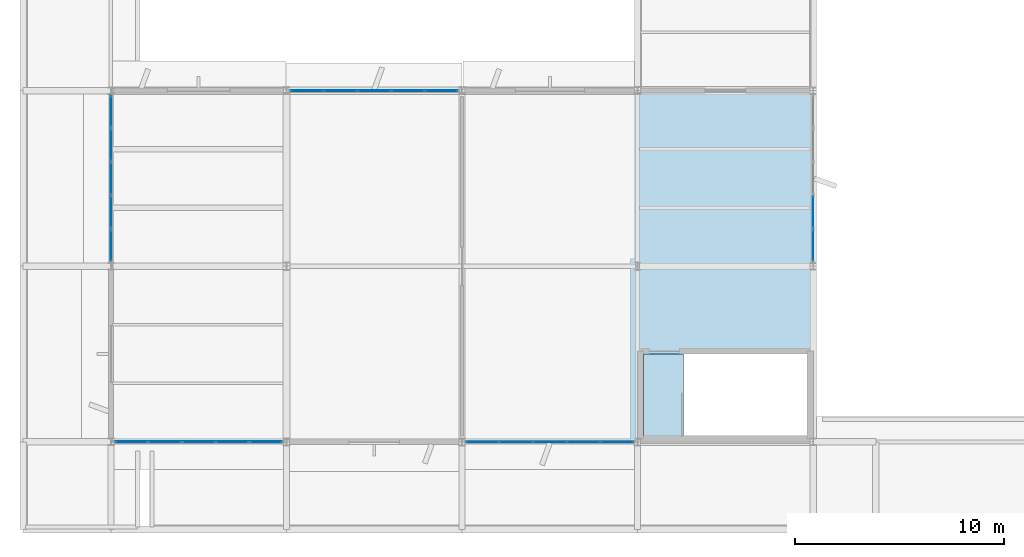
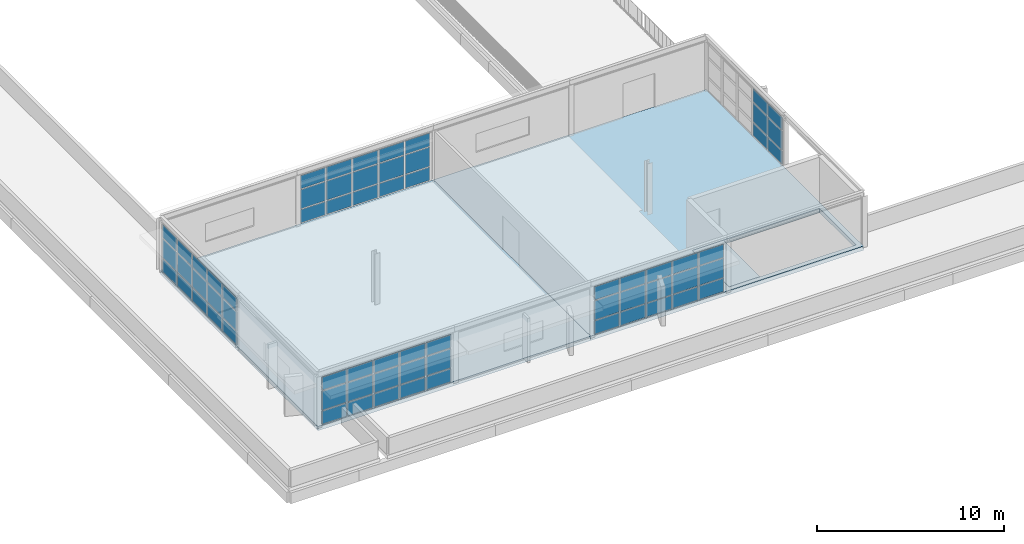
# One storey, part 43 of 92: 66 plates, 3 slabs, 5 elements without a shape of their own.
"""IFC4 building model written with IfcOpenShell, lengths in metres."""

from ifc_helpers import new_model, si_unit, direction, frame, origin, origin_2d, place, context, subcontext, project, spatial, polyline, rectangle, outline, extrude, material, layer, layer_set, type_object, element, aggregate, save


model = new_model("IFC4")

# Units and contexts
model_context = context("Model", 3, precision=1e-05, world=origin(), true_north=direction((0.0, 1.0)))
body_context = subcontext(model_context, "Body", "Model", "MODEL_VIEW")
ifc_project = project(units=[si_unit("LENGTHUNIT", "METRE"), si_unit("AREAUNIT", "SQUARE_METRE"), si_unit("VOLUMEUNIT", "CUBIC_METRE"), si_unit("PLANEANGLEUNIT", "RADIAN"), si_unit("MASSUNIT", "GRAM", prefix="KILO")], contexts=[model_context])

# Site, building, storey
site_placement = place(None, origin())
site = spatial("IfcSite", under=ifc_project, at=site_placement, CompositionType="ELEMENT")
building_placement = place(site_placement, origin())
building = spatial("IfcBuilding", under=site, at=building_placement, Name="Vanh Quang Courtyard School", CompositionType="ELEMENT")
storey_placement = place(building_placement, frame((0.0, 0.0, 7.800048828125)))
storey = spatial("IfcBuildingStorey", under=building, at=storey_placement, Name="L02", CompositionType="ELEMENT", Elevation=7.800048828125)

# Curtain wall, plates
ifc_material_1 = material(Name="Thermally broken aluminium unitised curtain wall", Category="aluminium")
curtain_wall_type = type_object("IfcCurtainWallType", Name="CW-SYS-46", PredefinedType="NOTDEFINED", material=ifc_material_1)
curtain_wall_1_placement = place(storey_placement, origin())
curtain_wall_1 = element("IfcCurtainWall", 1, at=curtain_wall_1_placement, inside=storey, type_object=curtain_wall_type, Name="Curtain Wall CW-46 (L02)", PredefinedType="NOTDEFINED")
ifc_material_2 = material(Name="Low-E laminated double glazing", Category="glass")
ifc_layer_1 = layer(ifc_material_2, 0.028076171875)
ifc_layer_set_1 = layer_set([ifc_layer_1], Name="Low-E laminated double glazing")
plate_type_1 = type_object("IfcPlateType", Name="CW-PNL-28", PredefinedType="CURTAIN_PANEL", material=ifc_layer_set_1)
plate_1_placement = place(storey_placement, frame((28.418701171875, 4.199951171875, 0.06005859375), z_axis=(0.0, 0.0, 1.0), x_axis=(-1.0, 0.0, 0.0)))
plate_1 = element("IfcPlate", 2, at=plate_1_placement, type_object=plate_type_1, Name="CW-46 panel 1.1", PredefinedType="CURTAIN_PANEL", context=body_context, shape_type="SweptSolid", body=[
    extrude(rectangle(XDim=1.52685546875, YDim=0.028076171875, at=origin_2d()), origin(), (0.0, 0.0, 1.0), 0.860107421875),
])
plate_2_placement = place(storey_placement, frame((28.418701171875, 4.199951171875, 0.97998046875), z_axis=(0.0, 0.0, 1.0), x_axis=(-1.0, 0.0, 0.0)))
plate_2 = element("IfcPlate", 3, at=plate_2_placement, type_object=plate_type_1, Name="CW-46 panel 1.2", PredefinedType="CURTAIN_PANEL", context=body_context, shape_type="SweptSolid", body=[
    extrude(rectangle(XDim=1.52685546875, YDim=0.028076171875, at=origin_2d()), origin(), (0.0, 0.0, 1.0), 1.239990234375),
])
plate_3_placement = place(storey_placement, frame((28.418701171875, 4.199951171875, 2.27978515625), z_axis=(0.0, 0.0, 1.0), x_axis=(-1.0, 0.0, 0.0)))
plate_3 = element("IfcPlate", 4, at=plate_3_placement, type_object=plate_type_1, Name="CW-46 panel 1.3", PredefinedType="CURTAIN_PANEL", context=body_context, shape_type="SweptSolid", body=[
    extrude(rectangle(XDim=1.52685546875, YDim=0.028076171875, at=origin_2d()), origin(), (0.0, 0.0, 1.0), 0.860107421875),
])
plate_4_placement = place(storey_placement, frame((26.81689453125, 4.199951171875, 0.06005859375), z_axis=(0.0, 0.0, 1.0), x_axis=(-1.0, 0.0, 0.0)))
plate_4 = element("IfcPlate", 5, at=plate_4_placement, type_object=plate_type_1, Name="CW-46 panel 2.1", PredefinedType="CURTAIN_PANEL", context=body_context, shape_type="SweptSolid", body=[
    extrude(rectangle(XDim=1.556884765625, YDim=0.028076171875, at=origin_2d()), origin(), (0.0, 0.0, 1.0), 0.860107421875),
])
plate_5_placement = place(storey_placement, frame((26.81689453125, 4.199951171875, 0.97998046875), z_axis=(0.0, 0.0, 1.0), x_axis=(-1.0, 0.0, 0.0)))
plate_5 = element("IfcPlate", 6, at=plate_5_placement, type_object=plate_type_1, Name="CW-46 panel 2.2", PredefinedType="CURTAIN_PANEL", context=body_context, shape_type="SweptSolid", body=[
    extrude(rectangle(XDim=1.556884765625, YDim=0.028076171875, at=origin_2d()), origin(), (0.0, 0.0, 1.0), 1.239990234375),
])
plate_6_placement = place(storey_placement, frame((26.81689453125, 4.199951171875, 2.27978515625), z_axis=(0.0, 0.0, 1.0), x_axis=(-1.0, 0.0, 0.0)))
plate_6 = element("IfcPlate", 7, at=plate_6_placement, type_object=plate_type_1, Name="CW-46 panel 2.3", PredefinedType="CURTAIN_PANEL", context=body_context, shape_type="SweptSolid", body=[
    extrude(rectangle(XDim=1.556884765625, YDim=0.028076171875, at=origin_2d()), origin(), (0.0, 0.0, 1.0), 0.860107421875),
])
plate_7_placement = place(storey_placement, frame((25.199951171875, 4.199951171875, 0.06005859375), z_axis=(0.0, 0.0, 1.0), x_axis=(-1.0, 0.0, 0.0)))
plate_7 = element("IfcPlate", 8, at=plate_7_placement, type_object=plate_type_1, Name="CW-46 panel 3.1", PredefinedType="CURTAIN_PANEL", context=body_context, shape_type="SweptSolid", body=[
    extrude(rectangle(XDim=1.556884765625, YDim=0.028076171875, at=origin_2d()), origin(), (0.0, 0.0, 1.0), 0.860107421875),
])
plate_8_placement = place(storey_placement, frame((25.199951171875, 4.199951171875, 0.97998046875), z_axis=(0.0, 0.0, 1.0), x_axis=(-1.0, 0.0, 0.0)))
plate_8 = element("IfcPlate", 9, at=plate_8_placement, type_object=plate_type_1, Name="CW-46 panel 3.2", PredefinedType="CURTAIN_PANEL", context=body_context, shape_type="SweptSolid", body=[
    extrude(rectangle(XDim=1.556884765625, YDim=0.028076171875, at=origin_2d()), origin(), (0.0, 0.0, 1.0), 1.239990234375),
])
plate_9_placement = place(storey_placement, frame((25.199951171875, 4.199951171875, 2.27978515625), z_axis=(0.0, 0.0, 1.0), x_axis=(-1.0, 0.0, 0.0)))
plate_9 = element("IfcPlate", 10, at=plate_9_placement, type_object=plate_type_1, Name="CW-46 panel 3.3", PredefinedType="CURTAIN_PANEL", context=body_context, shape_type="SweptSolid", body=[
    extrude(rectangle(XDim=1.556884765625, YDim=0.028076171875, at=origin_2d()), origin(), (0.0, 0.0, 1.0), 0.860107421875),
])
plate_10_placement = place(storey_placement, frame((23.583251953125, 4.199951171875, 0.06005859375), z_axis=(0.0, 0.0, 1.0), x_axis=(-1.0, 0.0, 0.0)))
plate_10 = element("IfcPlate", 11, at=plate_10_placement, type_object=plate_type_1, Name="CW-46 panel 4.1", PredefinedType="CURTAIN_PANEL", context=body_context, shape_type="SweptSolid", body=[
    extrude(rectangle(XDim=1.556884765625, YDim=0.028076171875, at=origin_2d()), origin(), (0.0, 0.0, 1.0), 0.860107421875),
])
plate_11_placement = place(storey_placement, frame((23.583251953125, 4.199951171875, 0.97998046875), z_axis=(0.0, 0.0, 1.0), x_axis=(-1.0, 0.0, 0.0)))
plate_11 = element("IfcPlate", 12, at=plate_11_placement, type_object=plate_type_1, Name="CW-46 panel 4.2", PredefinedType="CURTAIN_PANEL", context=body_context, shape_type="SweptSolid", body=[
    extrude(rectangle(XDim=1.556884765625, YDim=0.028076171875, at=origin_2d()), origin(), (0.0, 0.0, 1.0), 1.239990234375),
])
plate_12_placement = place(storey_placement, frame((23.583251953125, 4.199951171875, 2.27978515625), z_axis=(0.0, 0.0, 1.0), x_axis=(-1.0, 0.0, 0.0)))
plate_12 = element("IfcPlate", 13, at=plate_12_placement, type_object=plate_type_1, Name="CW-46 panel 4.3", PredefinedType="CURTAIN_PANEL", context=body_context, shape_type="SweptSolid", body=[
    extrude(rectangle(XDim=1.556884765625, YDim=0.028076171875, at=origin_2d()), origin(), (0.0, 0.0, 1.0), 0.860107421875),
])
plate_13_placement = place(storey_placement, frame((21.9814453125, 4.199951171875, 0.06005859375), z_axis=(0.0, 0.0, 1.0), x_axis=(-1.0, 0.0, 0.0)))
plate_13 = element("IfcPlate", 14, at=plate_13_placement, type_object=plate_type_1, Name="CW-46 panel 5.1", PredefinedType="CURTAIN_PANEL", context=body_context, shape_type="SweptSolid", body=[
    extrude(rectangle(XDim=1.52685546875, YDim=0.028076171875, at=origin_2d()), origin(), (0.0, 0.0, 1.0), 0.860107421875),
])
plate_14_placement = place(storey_placement, frame((21.9814453125, 4.199951171875, 0.97998046875), z_axis=(0.0, 0.0, 1.0), x_axis=(-1.0, 0.0, 0.0)))
plate_14 = element("IfcPlate", 15, at=plate_14_placement, type_object=plate_type_1, Name="CW-46 panel 5.2", PredefinedType="CURTAIN_PANEL", context=body_context, shape_type="SweptSolid", body=[
    extrude(rectangle(XDim=1.52685546875, YDim=0.028076171875, at=origin_2d()), origin(), (0.0, 0.0, 1.0), 1.239990234375),
])
plate_15_placement = place(storey_placement, frame((21.9814453125, 4.199951171875, 2.27978515625), z_axis=(0.0, 0.0, 1.0), x_axis=(-1.0, 0.0, 0.0)))
plate_15 = element("IfcPlate", 16, at=plate_15_placement, type_object=plate_type_1, Name="CW-46 panel 5.3", PredefinedType="CURTAIN_PANEL", context=body_context, shape_type="SweptSolid", body=[
    extrude(rectangle(XDim=1.52685546875, YDim=0.028076171875, at=origin_2d()), origin(), (0.0, 0.0, 1.0), 0.860107421875),
])
aggregate(curtain_wall_1, [plate_1, plate_2, plate_3, plate_4, plate_5, plate_6, plate_7, plate_8, plate_9, plate_10, plate_11, plate_12, plate_13, plate_14, plate_15])

curtain_wall_2_placement = place(storey_placement, origin())
curtain_wall_2 = element("IfcCurtainWall", 17, at=curtain_wall_2_placement, inside=storey, type_object=curtain_wall_type, Name="Curtain Wall CW-46 (L02)", PredefinedType="NOTDEFINED")
plate_16_placement = place(storey_placement, frame((4.199951171875, 13.598388671875, 0.079833984375), z_axis=(0.0, 0.0, 1.0), x_axis=(0.0, 1.0, 0.0)))
plate_16 = element("IfcPlate", 18, at=plate_16_placement, type_object=plate_type_1, Name="CW-46 panel 1.1", PredefinedType="CURTAIN_PANEL", context=body_context, shape_type="SweptSolid", body=[
    extrude(rectangle(XDim=1.49072265625, YDim=0.028076171875, at=origin_2d()), origin(), (0.0, 0.0, 1.0), 0.830078125),
])
plate_17_placement = place(storey_placement, frame((4.199951171875, 13.598388671875, 0.98974609375), z_axis=(0.0, 0.0, 1.0), x_axis=(0.0, 1.0, 0.0)))
plate_17 = element("IfcPlate", 19, at=plate_17_placement, type_object=plate_type_1, Name="CW-46 panel 1.2", PredefinedType="CURTAIN_PANEL", context=body_context, shape_type="SweptSolid", body=[
    extrude(rectangle(XDim=1.49072265625, YDim=0.028076171875, at=origin_2d()), origin(), (0.0, 0.0, 1.0), 1.219970703125),
])
plate_18_placement = place(storey_placement, frame((4.199951171875, 13.598388671875, 2.289794921875), z_axis=(0.0, 0.0, 1.0), x_axis=(0.0, 1.0, 0.0)))
plate_18 = element("IfcPlate", 20, at=plate_18_placement, type_object=plate_type_1, Name="CW-46 panel 1.3", PredefinedType="CURTAIN_PANEL", context=body_context, shape_type="SweptSolid", body=[
    extrude(rectangle(XDim=1.49072265625, YDim=0.028076171875, at=origin_2d()), origin(), (0.0, 0.0, 1.0), 0.830078125),
])
plate_19_placement = place(storey_placement, frame((4.199951171875, 15.189208984375, 0.079833984375), z_axis=(0.0, 0.0, 1.0), x_axis=(0.0, 1.0, 0.0)))
plate_19 = element("IfcPlate", 21, at=plate_19_placement, type_object=plate_type_1, Name="CW-46 panel 2.1", PredefinedType="CURTAIN_PANEL", context=body_context, shape_type="SweptSolid", body=[
    extrude(rectangle(XDim=1.53076171875, YDim=0.028076171875, at=origin_2d()), origin(), (0.0, 0.0, 1.0), 0.830078125),
])
plate_20_placement = place(storey_placement, frame((4.199951171875, 15.189208984375, 0.98974609375), z_axis=(0.0, 0.0, 1.0), x_axis=(0.0, 1.0, 0.0)))
plate_20 = element("IfcPlate", 22, at=plate_20_placement, type_object=plate_type_1, Name="CW-46 panel 2.2", PredefinedType="CURTAIN_PANEL", context=body_context, shape_type="SweptSolid", body=[
    extrude(rectangle(XDim=1.53076171875, YDim=0.028076171875, at=origin_2d()), origin(), (0.0, 0.0, 1.0), 1.219970703125),
])
plate_21_placement = place(storey_placement, frame((4.199951171875, 15.189208984375, 2.289794921875), z_axis=(0.0, 0.0, 1.0), x_axis=(0.0, 1.0, 0.0)))
plate_21 = element("IfcPlate", 23, at=plate_21_placement, type_object=plate_type_1, Name="CW-46 panel 2.3", PredefinedType="CURTAIN_PANEL", context=body_context, shape_type="SweptSolid", body=[
    extrude(rectangle(XDim=1.53076171875, YDim=0.028076171875, at=origin_2d()), origin(), (0.0, 0.0, 1.0), 0.830078125),
])
plate_22_placement = place(storey_placement, frame((4.199951171875, 16.800048828125, 0.079833984375), z_axis=(0.0, 0.0, 1.0), x_axis=(0.0, 1.0, 0.0)))
plate_22 = element("IfcPlate", 24, at=plate_22_placement, type_object=plate_type_1, Name="CW-46 panel 3.1", PredefinedType="CURTAIN_PANEL", context=body_context, shape_type="SweptSolid", body=[
    extrude(rectangle(XDim=1.53076171875, YDim=0.028076171875, at=origin_2d()), origin(), (0.0, 0.0, 1.0), 0.830078125),
])
plate_23_placement = place(storey_placement, frame((4.199951171875, 16.800048828125, 0.98974609375), z_axis=(0.0, 0.0, 1.0), x_axis=(0.0, 1.0, 0.0)))
plate_23 = element("IfcPlate", 25, at=plate_23_placement, type_object=plate_type_1, Name="CW-46 panel 3.2", PredefinedType="CURTAIN_PANEL", context=body_context, shape_type="SweptSolid", body=[
    extrude(rectangle(XDim=1.53076171875, YDim=0.028076171875, at=origin_2d()), origin(), (0.0, 0.0, 1.0), 1.219970703125),
])
plate_24_placement = place(storey_placement, frame((4.199951171875, 16.800048828125, 2.289794921875), z_axis=(0.0, 0.0, 1.0), x_axis=(0.0, 1.0, 0.0)))
plate_24 = element("IfcPlate", 26, at=plate_24_placement, type_object=plate_type_1, Name="CW-46 panel 3.3", PredefinedType="CURTAIN_PANEL", context=body_context, shape_type="SweptSolid", body=[
    extrude(rectangle(XDim=1.53076171875, YDim=0.028076171875, at=origin_2d()), origin(), (0.0, 0.0, 1.0), 0.830078125),
])
plate_25_placement = place(storey_placement, frame((4.199951171875, 18.410888671875, 0.079833984375), z_axis=(0.0, 0.0, 1.0), x_axis=(0.0, 1.0, 0.0)))
plate_25 = element("IfcPlate", 27, at=plate_25_placement, type_object=plate_type_1, Name="CW-46 panel 4.1", PredefinedType="CURTAIN_PANEL", context=body_context, shape_type="SweptSolid", body=[
    extrude(rectangle(XDim=1.53076171875, YDim=0.028076171875, at=origin_2d()), origin(), (0.0, 0.0, 1.0), 0.830078125),
])
plate_26_placement = place(storey_placement, frame((4.199951171875, 18.410888671875, 0.98974609375), z_axis=(0.0, 0.0, 1.0), x_axis=(0.0, 1.0, 0.0)))
plate_26 = element("IfcPlate", 28, at=plate_26_placement, type_object=plate_type_1, Name="CW-46 panel 4.2", PredefinedType="CURTAIN_PANEL", context=body_context, shape_type="SweptSolid", body=[
    extrude(rectangle(XDim=1.53076171875, YDim=0.028076171875, at=origin_2d()), origin(), (0.0, 0.0, 1.0), 1.219970703125),
])
plate_27_placement = place(storey_placement, frame((4.199951171875, 18.410888671875, 2.289794921875), z_axis=(0.0, 0.0, 1.0), x_axis=(0.0, 1.0, 0.0)))
plate_27 = element("IfcPlate", 29, at=plate_27_placement, type_object=plate_type_1, Name="CW-46 panel 4.3", PredefinedType="CURTAIN_PANEL", context=body_context, shape_type="SweptSolid", body=[
    extrude(rectangle(XDim=1.53076171875, YDim=0.028076171875, at=origin_2d()), origin(), (0.0, 0.0, 1.0), 0.830078125),
])
plate_28_placement = place(storey_placement, frame((4.199951171875, 20.001708984375, 0.079833984375), z_axis=(0.0, 0.0, 1.0), x_axis=(0.0, 1.0, 0.0)))
plate_28 = element("IfcPlate", 30, at=plate_28_placement, type_object=plate_type_1, Name="CW-46 panel 5.1", PredefinedType="CURTAIN_PANEL", context=body_context, shape_type="SweptSolid", body=[
    extrude(rectangle(XDim=1.49072265625, YDim=0.028076171875, at=origin_2d()), origin(), (0.0, 0.0, 1.0), 0.830078125),
])
plate_29_placement = place(storey_placement, frame((4.199951171875, 20.001708984375, 0.98974609375), z_axis=(0.0, 0.0, 1.0), x_axis=(0.0, 1.0, 0.0)))
plate_29 = element("IfcPlate", 31, at=plate_29_placement, type_object=plate_type_1, Name="CW-46 panel 5.2", PredefinedType="CURTAIN_PANEL", context=body_context, shape_type="SweptSolid", body=[
    extrude(rectangle(XDim=1.49072265625, YDim=0.028076171875, at=origin_2d()), origin(), (0.0, 0.0, 1.0), 1.219970703125),
])
plate_30_placement = place(storey_placement, frame((4.199951171875, 20.001708984375, 2.289794921875), z_axis=(0.0, 0.0, 1.0), x_axis=(0.0, 1.0, 0.0)))
plate_30 = element("IfcPlate", 32, at=plate_30_placement, type_object=plate_type_1, Name="CW-46 panel 5.3", PredefinedType="CURTAIN_PANEL", context=body_context, shape_type="SweptSolid", body=[
    extrude(rectangle(XDim=1.49072265625, YDim=0.028076171875, at=origin_2d()), origin(), (0.0, 0.0, 1.0), 0.830078125),
])
aggregate(curtain_wall_2, [plate_16, plate_17, plate_18, plate_19, plate_20, plate_21, plate_22, plate_23, plate_24, plate_25, plate_26, plate_27, plate_28, plate_29, plate_30])

curtain_wall_3_placement = place(storey_placement, origin())
curtain_wall_3 = element("IfcCurtainWall", 33, at=curtain_wall_3_placement, inside=storey, type_object=curtain_wall_type, Name="Curtain Wall CW-46 (L02)", PredefinedType="NOTDEFINED")
ifc_layer_2 = layer(ifc_material_2, 0.031982421875)
ifc_layer_set_2 = layer_set([ifc_layer_2], Name="Low-E laminated double glazing")
plate_type_2 = type_object("IfcPlateType", Name="CW-PNL-32", PredefinedType="CURTAIN_PANEL", material=ifc_layer_set_2)
plate_31_placement = place(storey_placement, frame((37.800048828125, 15.189208984375, 0.079833984375), z_axis=(0.0, 0.0, 1.0), x_axis=(0.0, -1.0, 0.0)))
plate_31 = element("IfcPlate", 34, at=plate_31_placement, type_object=plate_type_2, Name="CW-46 panel 4.1", PredefinedType="CURTAIN_PANEL", context=body_context, shape_type="SweptSolid", body=[
    extrude(rectangle(XDim=1.53076171875, YDim=0.031982421875, at=origin_2d()), origin(), (0.0, 0.0, 1.0), 0.830078125),
])
plate_32_placement = place(storey_placement, frame((37.800048828125, 15.189208984375, 0.98974609375), z_axis=(0.0, 0.0, 1.0), x_axis=(0.0, -1.0, 0.0)))
plate_32 = element("IfcPlate", 35, at=plate_32_placement, type_object=plate_type_2, Name="CW-46 panel 4.2", PredefinedType="CURTAIN_PANEL", context=body_context, shape_type="SweptSolid", body=[
    extrude(rectangle(XDim=1.53076171875, YDim=0.031982421875, at=origin_2d()), origin(), (0.0, 0.0, 1.0), 1.219970703125),
])
plate_33_placement = place(storey_placement, frame((37.800048828125, 15.189208984375, 2.289794921875), z_axis=(0.0, 0.0, 1.0), x_axis=(0.0, -1.0, 0.0)))
plate_33 = element("IfcPlate", 36, at=plate_33_placement, type_object=plate_type_2, Name="CW-46 panel 4.3", PredefinedType="CURTAIN_PANEL", context=body_context, shape_type="SweptSolid", body=[
    extrude(rectangle(XDim=1.53076171875, YDim=0.031982421875, at=origin_2d()), origin(), (0.0, 0.0, 1.0), 0.830078125),
])
plate_34_placement = place(storey_placement, frame((37.800048828125, 13.598388671875, 0.079833984375), z_axis=(0.0, 0.0, 1.0), x_axis=(0.0, -1.0, 0.0)))
plate_34 = element("IfcPlate", 37, at=plate_34_placement, type_object=plate_type_2, Name="CW-46 panel 5.1", PredefinedType="CURTAIN_PANEL", context=body_context, shape_type="SweptSolid", body=[
    extrude(rectangle(XDim=1.49072265625, YDim=0.031982421875, at=origin_2d()), origin(), (0.0, 0.0, 1.0), 0.830078125),
])
plate_35_placement = place(storey_placement, frame((37.800048828125, 13.598388671875, 0.98974609375), z_axis=(0.0, 0.0, 1.0), x_axis=(0.0, -1.0, 0.0)))
plate_35 = element("IfcPlate", 38, at=plate_35_placement, type_object=plate_type_2, Name="CW-46 panel 5.2", PredefinedType="CURTAIN_PANEL", context=body_context, shape_type="SweptSolid", body=[
    extrude(rectangle(XDim=1.49072265625, YDim=0.031982421875, at=origin_2d()), origin(), (0.0, 0.0, 1.0), 1.219970703125),
])
plate_36_placement = place(storey_placement, frame((37.800048828125, 13.598388671875, 2.289794921875), z_axis=(0.0, 0.0, 1.0), x_axis=(0.0, -1.0, 0.0)))
plate_36 = element("IfcPlate", 39, at=plate_36_placement, type_object=plate_type_2, Name="CW-46 panel 5.3", PredefinedType="CURTAIN_PANEL", context=body_context, shape_type="SweptSolid", body=[
    extrude(rectangle(XDim=1.49072265625, YDim=0.031982421875, at=origin_2d()), origin(), (0.0, 0.0, 1.0), 0.830078125),
])
aggregate(curtain_wall_3, [plate_31, plate_32, plate_33, plate_34, plate_35, plate_36])

curtain_wall_4_placement = place(storey_placement, origin())
curtain_wall_4 = element("IfcCurtainWall", 40, at=curtain_wall_4_placement, inside=storey, type_object=curtain_wall_type, Name="Curtain Wall CW-46 (L02)", PredefinedType="NOTDEFINED")
plate_37_placement = place(storey_placement, frame((11.6162109375, 4.199951171875, 0.06982421875), z_axis=(0.0, 0.0, 1.0), x_axis=(-1.0, 0.0, 0.0)))
plate_37 = element("IfcPlate", 41, at=plate_37_placement, type_object=plate_type_2, Name="CW-46 panel 1.1", PredefinedType="CURTAIN_PANEL", context=body_context, shape_type="SweptSolid", body=[
    extrude(rectangle(XDim=1.51171875, YDim=0.031982421875, at=origin_2d()), origin(), (0.0, 0.0, 1.0), 0.844970703125),
])
plate_38_placement = place(storey_placement, frame((11.6162109375, 4.199951171875, 0.98486328125), z_axis=(0.0, 0.0, 1.0), x_axis=(-1.0, 0.0, 0.0)))
plate_38 = element("IfcPlate", 42, at=plate_38_placement, type_object=plate_type_2, Name="CW-46 panel 1.2", PredefinedType="CURTAIN_PANEL", context=body_context, shape_type="SweptSolid", body=[
    extrude(rectangle(XDim=1.51171875, YDim=0.031982421875, at=origin_2d()), origin(), (0.0, 0.0, 1.0), 1.22998046875),
])
plate_39_placement = place(storey_placement, frame((11.6162109375, 4.199951171875, 2.28515625), z_axis=(0.0, 0.0, 1.0), x_axis=(-1.0, 0.0, 0.0)))
plate_39 = element("IfcPlate", 43, at=plate_39_placement, type_object=plate_type_2, Name="CW-46 panel 1.3", PredefinedType="CURTAIN_PANEL", context=body_context, shape_type="SweptSolid", body=[
    extrude(rectangle(XDim=1.51171875, YDim=0.031982421875, at=origin_2d()), origin(), (0.0, 0.0, 1.0), 0.844970703125),
])
plate_40_placement = place(storey_placement, frame((10.016845703125, 4.199951171875, 0.06982421875), z_axis=(0.0, 0.0, 1.0), x_axis=(-1.0, 0.0, 0.0)))
plate_40 = element("IfcPlate", 44, at=plate_40_placement, type_object=plate_type_2, Name="CW-46 panel 2.1", PredefinedType="CURTAIN_PANEL", context=body_context, shape_type="SweptSolid", body=[
    extrude(rectangle(XDim=1.546875, YDim=0.031982421875, at=origin_2d()), origin(), (0.0, 0.0, 1.0), 0.844970703125),
])
plate_41_placement = place(storey_placement, frame((10.016845703125, 4.199951171875, 0.98486328125), z_axis=(0.0, 0.0, 1.0), x_axis=(-1.0, 0.0, 0.0)))
plate_41 = element("IfcPlate", 45, at=plate_41_placement, type_object=plate_type_2, Name="CW-46 panel 2.2", PredefinedType="CURTAIN_PANEL", context=body_context, shape_type="SweptSolid", body=[
    extrude(rectangle(XDim=1.546875, YDim=0.031982421875, at=origin_2d()), origin(), (0.0, 0.0, 1.0), 1.22998046875),
])
plate_42_placement = place(storey_placement, frame((10.016845703125, 4.199951171875, 2.28515625), z_axis=(0.0, 0.0, 1.0), x_axis=(-1.0, 0.0, 0.0)))
plate_42 = element("IfcPlate", 46, at=plate_42_placement, type_object=plate_type_2, Name="CW-46 panel 2.3", PredefinedType="CURTAIN_PANEL", context=body_context, shape_type="SweptSolid", body=[
    extrude(rectangle(XDim=1.546875, YDim=0.031982421875, at=origin_2d()), origin(), (0.0, 0.0, 1.0), 0.844970703125),
])
plate_43_placement = place(storey_placement, frame((8.39990234375, 4.199951171875, 0.06982421875), z_axis=(0.0, 0.0, 1.0), x_axis=(-1.0, 0.0, 0.0)))
plate_43 = element("IfcPlate", 47, at=plate_43_placement, type_object=plate_type_2, Name="CW-46 panel 3.1", PredefinedType="CURTAIN_PANEL", context=body_context, shape_type="SweptSolid", body=[
    extrude(rectangle(XDim=1.546875, YDim=0.031982421875, at=origin_2d()), origin(), (0.0, 0.0, 1.0), 0.844970703125),
])
plate_44_placement = place(storey_placement, frame((8.39990234375, 4.199951171875, 0.98486328125), z_axis=(0.0, 0.0, 1.0), x_axis=(-1.0, 0.0, 0.0)))
plate_44 = element("IfcPlate", 48, at=plate_44_placement, type_object=plate_type_2, Name="CW-46 panel 3.2", PredefinedType="CURTAIN_PANEL", context=body_context, shape_type="SweptSolid", body=[
    extrude(rectangle(XDim=1.546875, YDim=0.031982421875, at=origin_2d()), origin(), (0.0, 0.0, 1.0), 1.22998046875),
])
plate_45_placement = place(storey_placement, frame((8.39990234375, 4.199951171875, 2.28515625), z_axis=(0.0, 0.0, 1.0), x_axis=(-1.0, 0.0, 0.0)))
plate_45 = element("IfcPlate", 49, at=plate_45_placement, type_object=plate_type_2, Name="CW-46 panel 3.3", PredefinedType="CURTAIN_PANEL", context=body_context, shape_type="SweptSolid", body=[
    extrude(rectangle(XDim=1.546875, YDim=0.031982421875, at=origin_2d()), origin(), (0.0, 0.0, 1.0), 0.844970703125),
])
plate_46_placement = place(storey_placement, frame((6.783203125, 4.199951171875, 0.06982421875), z_axis=(0.0, 0.0, 1.0), x_axis=(-1.0, 0.0, 0.0)))
plate_46 = element("IfcPlate", 50, at=plate_46_placement, type_object=plate_type_2, Name="CW-46 panel 4.1", PredefinedType="CURTAIN_PANEL", context=body_context, shape_type="SweptSolid", body=[
    extrude(rectangle(XDim=1.546875, YDim=0.031982421875, at=origin_2d()), origin(), (0.0, 0.0, 1.0), 0.844970703125),
])
plate_47_placement = place(storey_placement, frame((6.783203125, 4.199951171875, 0.98486328125), z_axis=(0.0, 0.0, 1.0), x_axis=(-1.0, 0.0, 0.0)))
plate_47 = element("IfcPlate", 51, at=plate_47_placement, type_object=plate_type_2, Name="CW-46 panel 4.2", PredefinedType="CURTAIN_PANEL", context=body_context, shape_type="SweptSolid", body=[
    extrude(rectangle(XDim=1.546875, YDim=0.031982421875, at=origin_2d()), origin(), (0.0, 0.0, 1.0), 1.22998046875),
])
plate_48_placement = place(storey_placement, frame((6.783203125, 4.199951171875, 2.28515625), z_axis=(0.0, 0.0, 1.0), x_axis=(-1.0, 0.0, 0.0)))
plate_48 = element("IfcPlate", 52, at=plate_48_placement, type_object=plate_type_2, Name="CW-46 panel 4.3", PredefinedType="CURTAIN_PANEL", context=body_context, shape_type="SweptSolid", body=[
    extrude(rectangle(XDim=1.546875, YDim=0.031982421875, at=origin_2d()), origin(), (0.0, 0.0, 1.0), 0.844970703125),
])
plate_49_placement = place(storey_placement, frame((5.183837890625, 4.199951171875, 0.06982421875), z_axis=(0.0, 0.0, 1.0), x_axis=(-1.0, 0.0, 0.0)))
plate_49 = element("IfcPlate", 53, at=plate_49_placement, type_object=plate_type_2, Name="CW-46 panel 5.1", PredefinedType="CURTAIN_PANEL", context=body_context, shape_type="SweptSolid", body=[
    extrude(rectangle(XDim=1.51171875, YDim=0.031982421875, at=origin_2d()), origin(), (0.0, 0.0, 1.0), 0.844970703125),
])
plate_50_placement = place(storey_placement, frame((5.183837890625, 4.199951171875, 0.98486328125), z_axis=(0.0, 0.0, 1.0), x_axis=(-1.0, 0.0, 0.0)))
plate_50 = element("IfcPlate", 54, at=plate_50_placement, type_object=plate_type_2, Name="CW-46 panel 5.2", PredefinedType="CURTAIN_PANEL", context=body_context, shape_type="SweptSolid", body=[
    extrude(rectangle(XDim=1.51171875, YDim=0.031982421875, at=origin_2d()), origin(), (0.0, 0.0, 1.0), 1.22998046875),
])
plate_51_placement = place(storey_placement, frame((5.183837890625, 4.199951171875, 2.28515625), z_axis=(0.0, 0.0, 1.0), x_axis=(-1.0, 0.0, 0.0)))
plate_51 = element("IfcPlate", 55, at=plate_51_placement, type_object=plate_type_2, Name="CW-46 panel 5.3", PredefinedType="CURTAIN_PANEL", context=body_context, shape_type="SweptSolid", body=[
    extrude(rectangle(XDim=1.51171875, YDim=0.031982421875, at=origin_2d()), origin(), (0.0, 0.0, 1.0), 0.844970703125),
])
aggregate(curtain_wall_4, [plate_37, plate_38, plate_39, plate_40, plate_41, plate_42, plate_43, plate_44, plate_45, plate_46, plate_47, plate_48, plate_49, plate_50, plate_51])

curtain_wall_5_placement = place(storey_placement, origin())
curtain_wall_5 = element("IfcCurtainWall", 56, at=curtain_wall_5_placement, inside=storey, type_object=curtain_wall_type, Name="Curtain Wall CW-46 (L02)", PredefinedType="NOTDEFINED")
plate_52_placement = place(storey_placement, frame((13.581298828125, 21.0, 0.06005859375), z_axis=(0.0, 0.0, 1.0), x_axis=(1.0, 0.0, 0.0)))
plate_52 = element("IfcPlate", 57, at=plate_52_placement, type_object=plate_type_2, Name="CW-46 panel 1.1", PredefinedType="CURTAIN_PANEL", context=body_context, shape_type="SweptSolid", body=[
    extrude(rectangle(XDim=1.52685546875, YDim=0.031982421875, at=origin_2d()), origin(), (0.0, 0.0, 1.0), 0.860107421875),
])
plate_53_placement = place(storey_placement, frame((13.581298828125, 21.0, 0.97998046875), z_axis=(0.0, 0.0, 1.0), x_axis=(1.0, 0.0, 0.0)))
plate_53 = element("IfcPlate", 58, at=plate_53_placement, type_object=plate_type_2, Name="CW-46 panel 1.2", PredefinedType="CURTAIN_PANEL", context=body_context, shape_type="SweptSolid", body=[
    extrude(rectangle(XDim=1.52685546875, YDim=0.031982421875, at=origin_2d()), origin(), (0.0, 0.0, 1.0), 1.239990234375),
])
plate_54_placement = place(storey_placement, frame((13.581298828125, 21.0, 2.27978515625), z_axis=(0.0, 0.0, 1.0), x_axis=(1.0, 0.0, 0.0)))
plate_54 = element("IfcPlate", 59, at=plate_54_placement, type_object=plate_type_2, Name="CW-46 panel 1.3", PredefinedType="CURTAIN_PANEL", context=body_context, shape_type="SweptSolid", body=[
    extrude(rectangle(XDim=1.52685546875, YDim=0.031982421875, at=origin_2d()), origin(), (0.0, 0.0, 1.0), 0.860107421875),
])
plate_55_placement = place(storey_placement, frame((15.18310546875, 21.0, 0.06005859375), z_axis=(0.0, 0.0, 1.0), x_axis=(1.0, 0.0, 0.0)))
plate_55 = element("IfcPlate", 60, at=plate_55_placement, type_object=plate_type_2, Name="CW-46 panel 2.1", PredefinedType="CURTAIN_PANEL", context=body_context, shape_type="SweptSolid", body=[
    extrude(rectangle(XDim=1.556884765625, YDim=0.031982421875, at=origin_2d()), origin(), (0.0, 0.0, 1.0), 0.860107421875),
])
plate_56_placement = place(storey_placement, frame((15.18310546875, 21.0, 0.97998046875), z_axis=(0.0, 0.0, 1.0), x_axis=(1.0, 0.0, 0.0)))
plate_56 = element("IfcPlate", 61, at=plate_56_placement, type_object=plate_type_2, Name="CW-46 panel 2.2", PredefinedType="CURTAIN_PANEL", context=body_context, shape_type="SweptSolid", body=[
    extrude(rectangle(XDim=1.556884765625, YDim=0.031982421875, at=origin_2d()), origin(), (0.0, 0.0, 1.0), 1.239990234375),
])
plate_57_placement = place(storey_placement, frame((15.18310546875, 21.0, 2.27978515625), z_axis=(0.0, 0.0, 1.0), x_axis=(1.0, 0.0, 0.0)))
plate_57 = element("IfcPlate", 62, at=plate_57_placement, type_object=plate_type_2, Name="CW-46 panel 2.3", PredefinedType="CURTAIN_PANEL", context=body_context, shape_type="SweptSolid", body=[
    extrude(rectangle(XDim=1.556884765625, YDim=0.031982421875, at=origin_2d()), origin(), (0.0, 0.0, 1.0), 0.860107421875),
])
plate_58_placement = place(storey_placement, frame((16.800048828125, 21.0, 0.06005859375), z_axis=(0.0, 0.0, 1.0), x_axis=(1.0, 0.0, 0.0)))
plate_58 = element("IfcPlate", 63, at=plate_58_placement, type_object=plate_type_2, Name="CW-46 panel 3.1", PredefinedType="CURTAIN_PANEL", context=body_context, shape_type="SweptSolid", body=[
    extrude(rectangle(XDim=1.556884765625, YDim=0.031982421875, at=origin_2d()), origin(), (0.0, 0.0, 1.0), 0.860107421875),
])
plate_59_placement = place(storey_placement, frame((16.800048828125, 21.0, 0.97998046875), z_axis=(0.0, 0.0, 1.0), x_axis=(1.0, 0.0, 0.0)))
plate_59 = element("IfcPlate", 64, at=plate_59_placement, type_object=plate_type_2, Name="CW-46 panel 3.2", PredefinedType="CURTAIN_PANEL", context=body_context, shape_type="SweptSolid", body=[
    extrude(rectangle(XDim=1.556884765625, YDim=0.031982421875, at=origin_2d()), origin(), (0.0, 0.0, 1.0), 1.239990234375),
])
plate_60_placement = place(storey_placement, frame((16.800048828125, 21.0, 2.27978515625), z_axis=(0.0, 0.0, 1.0), x_axis=(1.0, 0.0, 0.0)))
plate_60 = element("IfcPlate", 65, at=plate_60_placement, type_object=plate_type_2, Name="CW-46 panel 3.3", PredefinedType="CURTAIN_PANEL", context=body_context, shape_type="SweptSolid", body=[
    extrude(rectangle(XDim=1.556884765625, YDim=0.031982421875, at=origin_2d()), origin(), (0.0, 0.0, 1.0), 0.860107421875),
])
plate_61_placement = place(storey_placement, frame((18.416748046875, 21.0, 0.06005859375), z_axis=(0.0, 0.0, 1.0), x_axis=(1.0, 0.0, 0.0)))
plate_61 = element("IfcPlate", 66, at=plate_61_placement, type_object=plate_type_2, Name="CW-46 panel 4.1", PredefinedType="CURTAIN_PANEL", context=body_context, shape_type="SweptSolid", body=[
    extrude(rectangle(XDim=1.556884765625, YDim=0.031982421875, at=origin_2d()), origin(), (0.0, 0.0, 1.0), 0.860107421875),
])
plate_62_placement = place(storey_placement, frame((18.416748046875, 21.0, 0.97998046875), z_axis=(0.0, 0.0, 1.0), x_axis=(1.0, 0.0, 0.0)))
plate_62 = element("IfcPlate", 67, at=plate_62_placement, type_object=plate_type_2, Name="CW-46 panel 4.2", PredefinedType="CURTAIN_PANEL", context=body_context, shape_type="SweptSolid", body=[
    extrude(rectangle(XDim=1.556884765625, YDim=0.031982421875, at=origin_2d()), origin(), (0.0, 0.0, 1.0), 1.239990234375),
])
plate_63_placement = place(storey_placement, frame((18.416748046875, 21.0, 2.27978515625), z_axis=(0.0, 0.0, 1.0), x_axis=(1.0, 0.0, 0.0)))
plate_63 = element("IfcPlate", 68, at=plate_63_placement, type_object=plate_type_2, Name="CW-46 panel 4.3", PredefinedType="CURTAIN_PANEL", context=body_context, shape_type="SweptSolid", body=[
    extrude(rectangle(XDim=1.556884765625, YDim=0.031982421875, at=origin_2d()), origin(), (0.0, 0.0, 1.0), 0.860107421875),
])
plate_64_placement = place(storey_placement, frame((20.0185546875, 21.0, 0.06005859375), z_axis=(0.0, 0.0, 1.0), x_axis=(1.0, 0.0, 0.0)))
plate_64 = element("IfcPlate", 69, at=plate_64_placement, type_object=plate_type_2, Name="CW-46 panel 5.1", PredefinedType="CURTAIN_PANEL", context=body_context, shape_type="SweptSolid", body=[
    extrude(rectangle(XDim=1.52685546875, YDim=0.031982421875, at=origin_2d()), origin(), (0.0, 0.0, 1.0), 0.860107421875),
])
plate_65_placement = place(storey_placement, frame((20.0185546875, 21.0, 0.97998046875), z_axis=(0.0, 0.0, 1.0), x_axis=(1.0, 0.0, 0.0)))
plate_65 = element("IfcPlate", 70, at=plate_65_placement, type_object=plate_type_2, Name="CW-46 panel 5.2", PredefinedType="CURTAIN_PANEL", context=body_context, shape_type="SweptSolid", body=[
    extrude(rectangle(XDim=1.52685546875, YDim=0.031982421875, at=origin_2d()), origin(), (0.0, 0.0, 1.0), 1.239990234375),
])
plate_66_placement = place(storey_placement, frame((20.0185546875, 21.0, 2.27978515625), z_axis=(0.0, 0.0, 1.0), x_axis=(1.0, 0.0, 0.0)))
plate_66 = element("IfcPlate", 71, at=plate_66_placement, type_object=plate_type_2, Name="CW-46 panel 5.3", PredefinedType="CURTAIN_PANEL", context=body_context, shape_type="SweptSolid", body=[
    extrude(rectangle(XDim=1.52685546875, YDim=0.031982421875, at=origin_2d()), origin(), (0.0, 0.0, 1.0), 0.860107421875),
])
aggregate(curtain_wall_5, [plate_52, plate_53, plate_54, plate_55, plate_56, plate_57, plate_58, plate_59, plate_60, plate_61, plate_62, plate_63, plate_64, plate_65, plate_66])

# Slabs
ifc_material_3 = material(Name="Concrete C30/37", Category="concrete")
ifc_layer_3 = layer(ifc_material_3, 0.280029296875)
ifc_layer_set_3 = layer_set([ifc_layer_3], Name="Concrete C30/37")
slab_type = type_object("IfcSlabType", Name="SLB-FLR-280", PredefinedType="FLOOR", material=ifc_layer_set_3)
slab_1_placement = place(storey_placement, frame((0.0, 0.0, -0.280029296875)))
element("IfcSlab", 72, at=slab_1_placement, inside=storey, type_object=slab_type, Name="Slab SF-02 (L02)", PredefinedType="FLOOR", context=body_context, shape_type="SweptSolid", body=[
    extrude(outline(polyline([(21.0, 4.199951171875), (21.0, 21.0), (4.199951171875, 21.0), (4.199951171875, 4.199951171875), (21.0, 4.199951171875)])), origin(), (0.0, 0.0, 1.0), 0.280029296875),
])
slab_2_placement = place(storey_placement, frame((0.0, 0.0, -0.280029296875)))
element("IfcSlab", 73, at=slab_2_placement, inside=storey, type_object=slab_type, Name="Slab SF-02 (L02)", PredefinedType="FLOOR", context=body_context, shape_type="SweptSolid", body=[
    extrude(outline(polyline([(37.800048828125, 4.199951171875), (37.800048828125, 21.0), (21.0, 21.0), (21.0, 4.199951171875), (37.800048828125, 4.199951171875)]), holes=[polyline([(37.52001953125, 4.47998046875), (29.679931640625, 4.47998046875), (29.679931640625, 8.39990234375), (37.52001953125, 8.39990234375), (37.52001953125, 4.47998046875)])]), origin(), (0.0, 0.0, 1.0), 0.280029296875),
])
slab_3_placement = place(storey_placement, frame((0.0, 0.0, -0.280029296875)))
element("IfcSlab", 74, at=slab_3_placement, inside=storey, type_object=slab_type, Name="Slab SF-02 (L02)", PredefinedType="FLOOR", context=body_context, shape_type="SweptSolid", body=[
    extrude(outline(polyline([(31.590087890625, 4.47998046875), (29.679931640625, 4.47998046875), (29.679931640625, 8.39990234375), (31.590087890625, 8.39990234375), (31.590087890625, 4.47998046875)])), origin(), (0.0, 0.0, 1.0), 0.280029296875),
])

save(model, "model.ifc")
